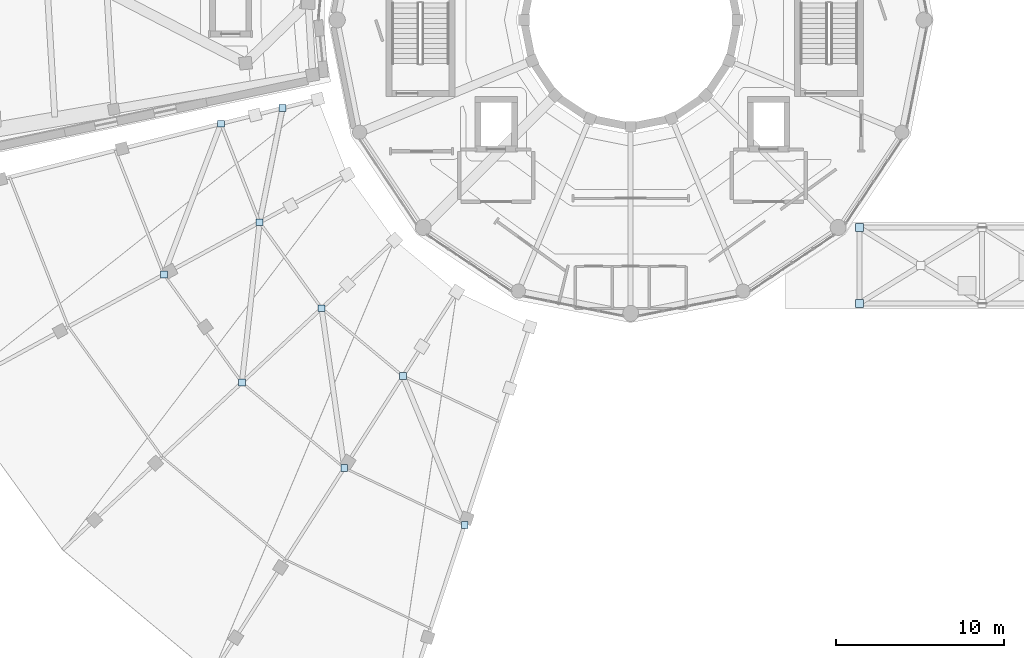
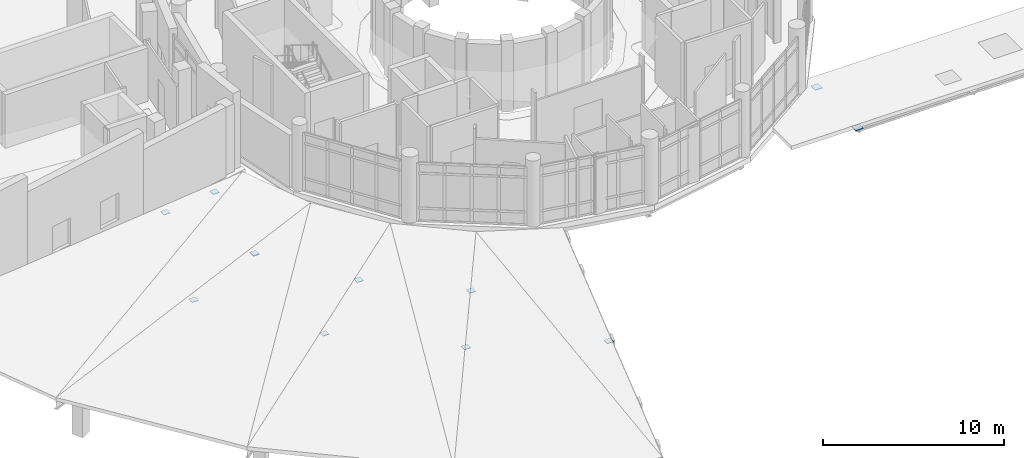
# One storey, part 46 of 75: 12 plates.
"""IFC4 building model written with IfcOpenShell, lengths in metres."""

from ifc_helpers import new_model, si_unit, direction, frame, origin, origin_2d, place, context, subcontext, project, spatial, rectangle, extrude, material, layer, layer_set, type_object, element, save


model = new_model("IFC4")

# Units and contexts
model_context = context("Model", 3, precision=1e-05, world=origin(), true_north=direction((0.0, 1.0)))
body_context = subcontext(model_context, "Body", "Model", "MODEL_VIEW")
ifc_project = project(units=[si_unit("LENGTHUNIT", "METRE"), si_unit("AREAUNIT", "SQUARE_METRE"), si_unit("VOLUMEUNIT", "CUBIC_METRE"), si_unit("PLANEANGLEUNIT", "RADIAN"), si_unit("MASSUNIT", "GRAM", prefix="KILO")], contexts=[model_context])

# Site, building, storey
site_placement = place(None, origin())
site = spatial("IfcSite", under=ifc_project, at=site_placement, CompositionType="ELEMENT")
building_placement = place(site_placement, origin())
building = spatial("IfcBuilding", under=site, at=building_placement, Name="Soyqirgoq Riverine Aquarium", CompositionType="ELEMENT")
storey_placement = place(building_placement, frame((0.0, 0.0, 10.199951171875)))
storey = spatial("IfcBuildingStorey", under=building, at=storey_placement, Name="L03", CompositionType="ELEMENT", Elevation=10.199951171875)

# Plates
ifc_material = material(Name="Structural steel S355", Category="steel")
ifc_layer = layer(ifc_material, 0.031982421875)
ifc_layer_set = layer_set([ifc_layer], Name="Structural steel S355")
plate_type = type_object("IfcPlateType", Name="NodeGussetPlate_32_S355", PredefinedType="SHEET", material=ifc_layer_set)
for number, where, z_axis, x_axis, name in (
    (1, (69.60009765625, 40.14990234375, -0.24609375), (0.0, 0.0, 1.0), (1.0, 0.0, 0.0), "BR-1 Brace End Gusset Plate SW 008"),
    (2, (69.60009765625, 44.64990234375, -0.24609375), (0.0, 0.0, 1.0), (1.0, 0.0, 0.0), "BR-1 Brace End Gusset Plate NW 010"),
):
    element("IfcPlate", number, at=place(storey_placement, frame(where, z_axis=z_axis, x_axis=x_axis)), inside=storey, type_object=plate_type, Name=name, PredefinedType="SHEET", context=body_context, shape_type="SweptSolid", body=[
        extrude(rectangle(XDim=0.47998046875, YDim=0.47998046875, at=origin_2d()), origin(), (0.0, 0.0, 1.0), 0.031982421875),
    ])
for number, where, z_axis, x_axis, name in (
    (3, (31.628173828125, 50.8330078125, 0.84716796875), (0.0, 0.0, 1.0), (1.0, 0.0, 0.0), "V2 Lateral Wind Brace End Gusset 117"),
    (4, (28.238037109375, 41.86376953125, 1.572265625), (0.0, 0.0, 1.0), (1.0, 0.0, 0.0), "V2 Lateral Wind Brace End Gusset 118"),
    (5, (33.927490234375, 44.9658203125, 0.85205078125), (0.0, 0.0, 1.0), (1.0, 0.0, 0.0), "V2 Lateral Wind Brace End Gusset 119"),
    (6, (32.87451171875, 35.435302734375, 1.5771484375), (0.0, 0.0, 1.0), (1.0, 0.0, 0.0), "V2 Lateral Wind Brace End Gusset 120"),
    (7, (37.61376953125, 39.8544921875, 0.85693359375), (0.0, 0.0, 1.0), (1.0, 0.0, 0.0), "V2 Lateral Wind Brace End Gusset 121"),
    (8, (38.964111328125, 30.361572265625, 1.60205078125), (0.0, 0.0, 1.0), (1.0, 0.0, 0.0), "V2 Lateral Wind Brace End Gusset 122"),
    (9, (42.455322265625, 35.82080078125, 0.88232421875), (0.0, 0.0, 1.0), (1.0, 0.0, 0.0), "V2 Lateral Wind Brace End Gusset 123"),
    (10, (46.1240234375, 26.9619140625, 1.5673828125), (0.0, 0.0, 1.0), (1.0, 0.0, 0.0), "V2 Lateral Wind Brace End Gusset 124"),
    (11, (35.29248046875, 51.76025390625, 0.38720703125), (0.0, 0.0, 1.0), (1.0, 0.0, 0.0), "V2 Lateral Sub-Rafter Brace End Gusset 149"),
    (12, (33.927490234375, 44.9658203125, 0.8125), (0.0, 0.0, 1.0), (1.0, 0.0, 0.0), "V2 Lateral Sub-Rafter Brace End Gusset 150"),
):
    element("IfcPlate", number, at=place(storey_placement, frame(where, z_axis=z_axis, x_axis=x_axis)), inside=storey, type_object=plate_type, Name=name, PredefinedType="SHEET", context=body_context, shape_type="SweptSolid", body=[
        extrude(rectangle(XDim=0.39990234375, YDim=0.39990234375, at=origin_2d()), origin(), (0.0, 0.0, 1.0), 0.031982421875),
    ])

save(model, "model.ifc")
